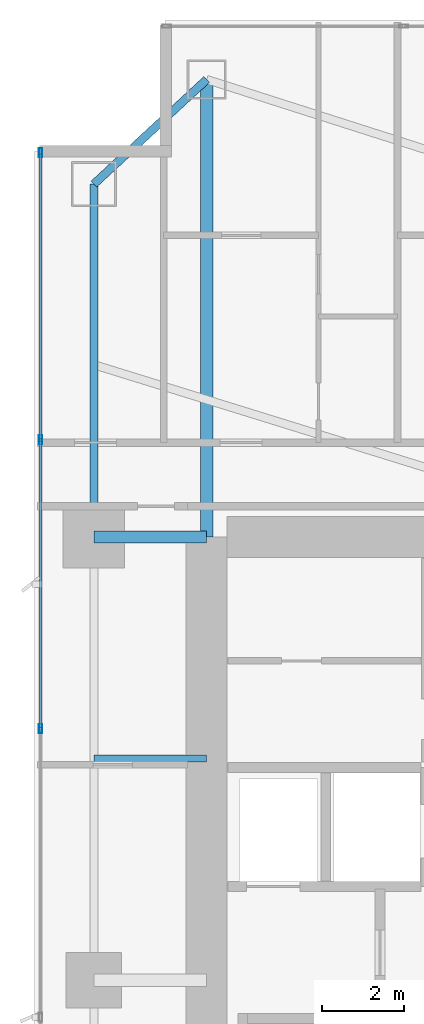
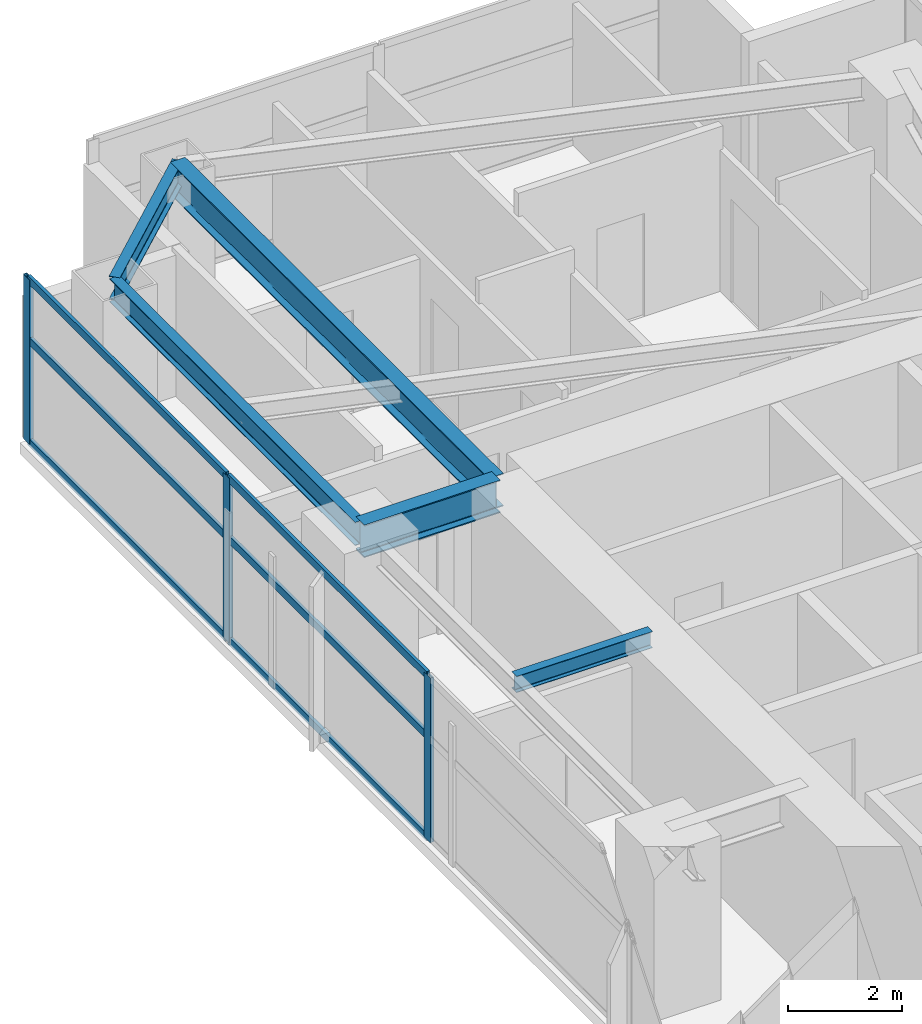
# One storey, part 15 of 28: 9 members, 5 beams, 1 element without a shape of its own.
"""IFC4 building model written with IfcOpenShell, lengths in metres."""

import ifcopenshell
import ifcopenshell.guid

model = None  # the IFC model being written
_history = None  # IfcOwnerHistory: only IFC2X3 demands one
_inside = {}  # id of a spatial element -> (the spatial element, [elements in it])
_under = {}  # id of a project, library or spatial element -> (it, [spatial elements below it])
_declared = {}  # id of a project -> (the project, [libraries it declares])
_typed = {}  # id of a type object -> (the type object, [elements of that type])
_made_of = {}  # id of a material, layer set ... -> (it, [elements and type objects made of it])


def new_model(schema):
    """Start an empty IFC model of exactly this schema.

    Asked for "IFC4X3", IfcOpenShell would pick the latest addendum, in which some entities
    have other attributes; the version numbers below select the first issue.
    IFC2X3 requires an IfcOwnerHistory on every rooted entity: one is made here for all.
    """
    global model, _history
    if schema == "IFC4X3":
        model = ifcopenshell.file(schema_version=(4, 3, 0, 0))
    else:
        model = ifcopenshell.file(schema=schema)
    _inside.clear()
    _under.clear()
    _declared.clear()
    _typed.clear()
    _made_of.clear()
    _history = None
    if model.schema == "IFC2X3":
        org = make("IfcOrganization", Name="unknown")
        user = make(
            "IfcPersonAndOrganization",
            ThePerson=make("IfcPerson", FamilyName="unknown"),
            TheOrganization=org,
        )
        app = make(
            "IfcApplication",
            ApplicationDeveloper=org,
            Version="unknown",
            ApplicationFullName="unknown",
            ApplicationIdentifier="unknown",
        )
        _history = make(
            "IfcOwnerHistory",
            OwningUser=user,
            OwningApplication=app,
            ChangeAction="ADDED",
            CreationDate=0,
        )
    return model


def make(cls, **values):
    """One entity of the class cls with the attributes given. An attribute that is None is left unset."""
    return model.create_entity(
        cls, **{name: value for name, value in values.items() if value is not None}
    )


def rooted(cls, **values):
    """An entity with a GlobalId (a new one), such as an element, a storey or a relation."""
    return make(cls, GlobalId=ifcopenshell.guid.new(), OwnerHistory=_history, **values)


def si_unit(unit_type, name, prefix=None):
    """IfcSIUnit, for example si_unit("LENGTHUNIT", "METRE", prefix="MILLI")."""
    return make("IfcSIUnit", UnitType=unit_type, Prefix=prefix, Name=name)


def assignment(units):
    """IfcUnitAssignment: the units of a project."""
    return None if units is None else make("IfcUnitAssignment", Units=units)


def point(xyz):
    """IfcCartesianPoint."""
    return None if xyz is None else make("IfcCartesianPoint", Coordinates=xyz)


def direction(xyz):
    """IfcDirection."""
    return None if xyz is None else make("IfcDirection", DirectionRatios=xyz)


def frame(location, z_axis=None, x_axis=None):
    """IfcAxis2Placement3D, a coordinate frame: its origin and axes. An axis left out is left unset."""
    return make(
        "IfcAxis2Placement3D",
        Location=point(location),
        Axis=direction(z_axis),
        RefDirection=direction(x_axis),
    )


def frame_2d(location, x_axis=None):
    """IfcAxis2Placement2D, a coordinate frame in the plane: its origin and x axis."""
    return make(
        "IfcAxis2Placement2D", Location=point(location), RefDirection=direction(x_axis)
    )


def origin():
    """The frame at (0, 0, 0) with its axes left unset."""
    return frame((0.0, 0.0, 0.0))


def origin_2d():
    """The frame at (0, 0) in the plane with its x axis left unset."""
    return frame_2d((0.0, 0.0))


def place(relative_to, where):
    """IfcLocalPlacement: puts the frame where relative to a parent placement (None: the world)."""
    return make(
        "IfcLocalPlacement", PlacementRelTo=relative_to, RelativePlacement=where
    )


def context(
    kind, dimensions, precision=None, world=None, true_north=None, identifier=None
):
    """IfcGeometricRepresentationContext, for example the 3D "Model" context."""
    return make(
        "IfcGeometricRepresentationContext",
        ContextIdentifier=identifier,
        ContextType=kind,
        CoordinateSpaceDimension=dimensions,
        Precision=precision,
        WorldCoordinateSystem=world,
        TrueNorth=true_north,
    )


def subcontext(parent, identifier, kind, view, scale=None):
    """IfcGeometricRepresentationSubContext, for example "Body" below "Model"."""
    return make(
        "IfcGeometricRepresentationSubContext",
        ContextIdentifier=identifier,
        ContextType=kind,
        ParentContext=parent,
        TargetScale=scale,
        TargetView=view,
    )


def project(units=None, contexts=None):
    """IfcProject with its units and contexts."""
    return rooted(
        "IfcProject",
        Name="project",
        RepresentationContexts=contexts,
        UnitsInContext=assignment(units),
    )


def spatial(cls, under=None, at=None, **own):
    """A site, building, storey or space (cls), placed at a placement, below another one or the project."""
    s = rooted(cls, ObjectPlacement=at, **own)
    if under is not None:
        _under.setdefault(under.id(), (under, []))[1].append(s)
    return s


def profile(cls, at=None, kind="AREA", **sizes):
    """A parametric profile (cls). Its sizes go by their IFC names, for example OverallWidth=200.0."""
    return make(cls, ProfileType=kind, Position=at, **sizes)


def hollow_rectangle(**sizes):
    """IfcRectangleHollowProfileDef."""
    return profile("IfcRectangleHollowProfileDef", **sizes)


def i_section(**sizes):
    """IfcIShapeProfileDef."""
    return profile("IfcIShapeProfileDef", **sizes)


def extrude(swept, where, along, depth):
    """IfcExtrudedAreaSolid: the profile swept, set in the frame where, extruded along a direction by depth."""
    return make(
        "IfcExtrudedAreaSolid",
        SweptArea=swept,
        Position=where,
        ExtrudedDirection=direction(along),
        Depth=depth,
    )


def shape(context_of_items, identifier, shape_type, items):
    """IfcShapeRepresentation: the items that make up one representation, for example the "Body"."""
    return make(
        "IfcShapeRepresentation",
        ContextOfItems=context_of_items,
        RepresentationIdentifier=identifier,
        RepresentationType=shape_type,
        Items=items,
    )


def material(Name=None, Category=None):
    """IfcMaterial."""
    return make("IfcMaterial", Name=Name, Category=Category)


def layer(
    of_material, thickness, ventilated=None, Name=None, Category=None, Priority=None
):
    """IfcMaterialLayer: one layer of a wall or slab, of a material (None: an air gap)."""
    return make(
        "IfcMaterialLayer",
        Material=of_material,
        LayerThickness=thickness,
        IsVentilated=ventilated,
        Name=Name,
        Category=Category,
        Priority=Priority,
    )


def layer_set(layers, Name=None):
    """IfcMaterialLayerSet."""
    return make("IfcMaterialLayerSet", MaterialLayers=layers, LayerSetName=Name)


def material_profile(
    of_material, cross_section, Name=None, Category=None, Priority=None
):
    """IfcMaterialProfile: a cross section and its material."""
    return make(
        "IfcMaterialProfile",
        Name=Name,
        Material=of_material,
        Profile=cross_section,
        Priority=Priority,
        Category=Category,
    )


def profile_set(profiles, Name=None, composite=None):
    """IfcMaterialProfileSet."""
    return make(
        "IfcMaterialProfileSet",
        Name=Name,
        MaterialProfiles=profiles,
        CompositeProfile=composite,
    )


def made_of(thing, what):
    """Note that an element or type object is made of a material, layer set ...; save() writes the relation."""
    if what is not None:
        _made_of.setdefault(what.id(), (what, []))[1].append(thing)
    return thing


def type_object(cls, material=None, **own):
    """A type object (cls), such as IfcWallType, which elements share."""
    return made_of(rooted(cls, **own), material)


def element(
    cls,
    number,
    at=None,
    inside=None,
    cuts=None,
    type_object=None,
    material=None,
    context=None,
    identifier="Body",
    shape_type=None,
    held_by="IfcProductDefinitionShape",
    body=None,
    shapes=None,
    **own,
):
    """One element of the class cls, such as IfcWall. Its Tag is "e" and its number.

    at: its placement. inside: the storey or other place that contains it. cuts: it is an
    opening in that element (IfcRelVoidsElement). A single representation is given by context,
    identifier, shape_type and body (its items); several are given by shapes. held_by: the class
    of the entity that holds the representations. save() writes the other relations.
    """
    e = rooted(cls, Tag="e%d" % number, ObjectPlacement=at, **own)
    if body is not None:
        shapes = [shape(context, identifier, shape_type, body)]
    if shapes is not None:
        e.Representation = make(held_by, Representations=shapes)
    if inside is not None:
        _inside.setdefault(inside.id(), (inside, []))[1].append(e)
    if cuts is not None:
        rooted(
            "IfcRelVoidsElement", RelatingBuildingElement=cuts, RelatedOpeningElement=e
        )
    if type_object is not None:
        _typed.setdefault(type_object.id(), (type_object, []))[1].append(e)
    return made_of(e, material)


def aggregate(whole, parts):
    """IfcRelAggregates: a whole, such as a stair, and the parts it consists of."""
    return rooted("IfcRelAggregates", RelatingObject=whole, RelatedObjects=parts)


def save(model, path):
    """Write the relations noted so far, then the file.

    IfcRelAggregates (storeys below a building ...), IfcRelContainedInSpatialStructure (elements
    in a storey), IfcRelDefinesByType, IfcRelAssociatesMaterial and IfcRelDeclares: one each for
    every whole, place, type object, material and project.
    """
    for whole, parts in _under.values():
        aggregate(whole, parts)
    for where, things in _inside.values():
        rooted(
            "IfcRelContainedInSpatialStructure",
            RelatedElements=things,
            RelatingStructure=where,
        )
    for kind, things in _typed.values():
        rooted("IfcRelDefinesByType", RelatedObjects=things, RelatingType=kind)
    for what, things in _made_of.values():
        rooted("IfcRelAssociatesMaterial", RelatedObjects=things, RelatingMaterial=what)
    for by, libraries in _declared.values():
        rooted("IfcRelDeclares", RelatingContext=by, RelatedDefinitions=libraries)
    model.write(path)


model = new_model("IFC4")

# Units and contexts
model_context = context("Model", 3, precision=1e-05, world=origin(), true_north=direction((0.0, 1.0)))
body_context = subcontext(model_context, "Body", "Model", "MODEL_VIEW")
ifc_project = project(units=[si_unit("LENGTHUNIT", "METRE"), si_unit("AREAUNIT", "SQUARE_METRE"), si_unit("VOLUMEUNIT", "CUBIC_METRE"), si_unit("PLANEANGLEUNIT", "RADIAN"), si_unit("MASSUNIT", "GRAM", prefix="KILO")], contexts=[model_context])

# Site, building, storey
site_placement = place(None, origin())
site = spatial("IfcSite", under=ifc_project, at=site_placement, CompositionType="ELEMENT")
building_placement = place(site_placement, origin())
building = spatial("IfcBuilding", under=site, at=building_placement, Name="Calvorn Quay Hotel", CompositionType="ELEMENT")
storey_placement = place(building_placement, frame((0.0, 0.0, 42.199951171875)))
storey = spatial("IfcBuildingStorey", under=building, at=storey_placement, Name="L09", CompositionType="ELEMENT", Elevation=42.199951171875)

# Beams
ifc_material_1 = material(Name="Steel Q390GJC", Category="steel")
ifc_material_profile_1 = material_profile(ifc_material_1, i_section(OverallWidth=0.300048828125, OverallDepth=0.699951171875, WebThickness=0.012939453125, FlangeThickness=0.02392578125, FilletRadius=0.02392578125, at=origin_2d()), Name="HN700x300x13x24")
ifc_profile_set_1 = profile_set([ifc_material_profile_1], Name="Steel Q390GJC")
beam_type_1 = type_object("IfcBeamType", Name="BM-GIRD-MAIN", PredefinedType="BEAM", material=ifc_profile_set_1)
beam_1_placement = place(storey_placement, frame((1.449951171875, 38.39990234375, 3.170166015625), z_axis=(1.0, 0.0, 0.0), x_axis=(0.0, 1.0, 0.0)))
element("IfcBeam", 1, at=beam_1_placement, inside=storey, type_object=beam_type_1, Name="Beam BG-L09-W3", PredefinedType="BEAM", context=body_context, shape_type="SweptSolid", body=[
    extrude(i_section(OverallWidth=0.300048828125, OverallDepth=0.699951171875, WebThickness=0.012939453125, FlangeThickness=0.02392578125, FilletRadius=0.02392578125, at=origin_2d()), origin(), (0.0, 0.0, 1.0), 2.75),
])
beam_2_placement = place(storey_placement, frame((4.199951171875, 49.550048828125, 3.170166015625), z_axis=(0.0, -1.0, 0.0), x_axis=(1.0, 0.0, 0.0)))
element("IfcBeam", 2, at=beam_2_placement, inside=storey, type_object=beam_type_1, Name="Beam BG-L09-W5", PredefinedType="BEAM", context=body_context, shape_type="SweptSolid", body=[
    extrude(i_section(OverallWidth=0.300048828125, OverallDepth=0.699951171875, WebThickness=0.012939453125, FlangeThickness=0.02392578125, FilletRadius=0.02392578125, at=origin_2d()), origin(), (0.0, 0.0, 1.0), 11.150146484375),
])
ifc_material_2 = material(Name="Steel Q355B", Category="steel")
ifc_material_profile_2 = material_profile(ifc_material_2, i_section(OverallWidth=0.175048828125, OverallDepth=0.35009765625, WebThickness=0.007080078125, FlangeThickness=0.010986328125, FilletRadius=0.013916015625, at=origin_2d()), Name="HN350x175x7x11")
ifc_profile_set_2 = profile_set([ifc_material_profile_2], Name="Steel Q355B")
beam_type_2 = type_object("IfcBeamType", Name="BM-JOIST-SEC", PredefinedType="JOIST", material=ifc_profile_set_2)
beam_3_placement = place(storey_placement, frame((1.449951171875, 33.0, 3.344970703125), z_axis=(1.0, 0.0, 0.0), x_axis=(0.0, 1.0, 0.0)))
element("IfcBeam", 3, at=beam_3_placement, inside=storey, type_object=beam_type_2, Name="Beam BJ-L09-W4", PredefinedType="JOIST", context=body_context, shape_type="SweptSolid", body=[
    extrude(i_section(OverallWidth=0.175048828125, OverallDepth=0.35009765625, WebThickness=0.007080078125, FlangeThickness=0.010986328125, FilletRadius=0.013916015625, at=origin_2d()), origin(), (0.0, 0.0, 1.0), 2.75),
])
ifc_material_3 = material(Name="Steel Q355B", Category="steel")
ifc_material_profile_3 = material_profile(ifc_material_3, i_section(OverallWidth=0.199951171875, OverallDepth=0.5, WebThickness=0.010009765625, FlangeThickness=0.01611328125, FilletRadius=0.01611328125, at=origin_2d()), Name="HN500x200x10x16")
ifc_profile_set_3 = profile_set([ifc_material_profile_3], Name="Steel Q355B")
beam_type_3 = type_object("IfcBeamType", Name="BM-SPANDREL-Z1", PredefinedType="SPANDREL", material=ifc_profile_set_3)
beam_4_placement = place(storey_placement, frame((1.449951171875, 38.39990234375, 3.27001953125), z_axis=(0.0, 1.0, 0.0), x_axis=(-1.0, 0.0, 0.0)))
element("IfcBeam", 4, at=beam_4_placement, inside=storey, type_object=beam_type_3, Name="Beam BSP-L09-W4", PredefinedType="SPANDREL", context=body_context, shape_type="SweptSolid", body=[
    extrude(i_section(OverallWidth=0.199951171875, OverallDepth=0.5, WebThickness=0.010009765625, FlangeThickness=0.01611328125, FilletRadius=0.01611328125, at=origin_2d()), origin(), (0.0, 0.0, 1.0), 8.60009765625),
])
beam_5_placement = place(storey_placement, frame((1.449951171875, 47.0, 3.27001953125), z_axis=(0.733261665538, 0.679946563969, 0.0), x_axis=(-0.679946563969, 0.733261665538, 0.0)))
element("IfcBeam", 5, at=beam_5_placement, inside=storey, type_object=beam_type_3, Name="Beam BSP-L09-W5", PredefinedType="SPANDREL", context=body_context, shape_type="SweptSolid", body=[
    extrude(i_section(OverallWidth=0.199951171875, OverallDepth=0.5, WebThickness=0.010009765625, FlangeThickness=0.01611328125, FilletRadius=0.01611328125, at=origin_2d()), origin(), (0.0, 0.0, 1.0), 3.75048828125),
])

# Curtain wall, members
ifc_material_4 = material(Name="Pale Anodised Aluminium and Low-E Glass", Category="aluminium")
ifc_layer = layer(ifc_material_4, 0.219970703125)
ifc_layer_set = layer_set([ifc_layer], Name="CW-SYS-Z1")
curtain_wall_type = type_object("IfcCurtainWallType", Name="CW-SYS-Z1", PredefinedType="NOTDEFINED", material=ifc_layer_set)
curtain_wall_placement = place(storey_placement, origin())
curtain_wall = element("IfcCurtainWall", 6, at=curtain_wall_placement, inside=storey, type_object=curtain_wall_type, Name="Tower West Curtain Wall (L09)", PredefinedType="NOTDEFINED")
ifc_material_5 = material(Name="Pale Anodised Aluminium 6063-T6", Category="aluminium")
ifc_material_profile_4 = material_profile(ifc_material_5, hollow_rectangle(XDim=0.074951171875, YDim=0.219970703125, WallThickness=0.00439453125, at=origin_2d()), Name="ALU-M220x75x4.5")
ifc_profile_set_4 = profile_set([ifc_material_profile_4], Name="Pale Anodised Aluminium 6063-T6")
member_type_1 = type_object("IfcMemberType", Name="CW-SYS-Z1-MUL", PredefinedType="MULLION", material=ifc_profile_set_4)
member_1_placement = place(storey_placement, frame((0.14990234375, 33.7333984375, 0.0), z_axis=(0.0, 0.0, 1.0), x_axis=(-1.0, 0.0, 0.0)))
member_1 = element("IfcMember", 7, at=member_1_placement, type_object=member_type_1, Name="CW-L09-W mullion 5", PredefinedType="MULLION", context=body_context, shape_type="SweptSolid", body=[
    extrude(hollow_rectangle(XDim=0.074951171875, YDim=0.219970703125, WallThickness=0.00439453125, at=origin_2d()), origin(), (0.0, 0.0, 1.0), 3.52001953125),
])
member_2_placement = place(storey_placement, frame((0.14990234375, 40.7666015625, 0.0), z_axis=(0.0, 0.0, 1.0), x_axis=(-1.0, 0.0, 0.0)))
member_2 = element("IfcMember", 8, at=member_2_placement, type_object=member_type_1, Name="CW-L09-W mullion 6", PredefinedType="MULLION", context=body_context, shape_type="SweptSolid", body=[
    extrude(hollow_rectangle(XDim=0.074951171875, YDim=0.219970703125, WallThickness=0.00439453125, at=origin_2d()), origin(), (0.0, 0.0, 1.0), 3.52001953125),
])
member_3_placement = place(storey_placement, frame((0.14990234375, 47.77001953125, 0.0), z_axis=(0.0, 0.0, 1.0), x_axis=(-1.0, 0.0, 0.0)))
member_3 = element("IfcMember", 9, at=member_3_placement, type_object=member_type_1, Name="CW-L09-W mullion 7", PredefinedType="MULLION", context=body_context, shape_type="SweptSolid", body=[
    extrude(hollow_rectangle(XDim=0.074951171875, YDim=0.219970703125, WallThickness=0.00439453125, at=origin_2d()), origin(), (0.0, 0.0, 1.0), 3.52001953125),
])
ifc_material_6 = material(Name="Pale Anodised Aluminium 6063-T6", Category="aluminium")
ifc_material_profile_5 = material_profile(ifc_material_6, hollow_rectangle(XDim=0.06494140625, YDim=0.1650390625, WallThickness=0.00341796875, at=origin_2d()), Name="ALU-T165x65x3.5")
ifc_profile_set_5 = profile_set([ifc_material_profile_5], Name="Pale Anodised Aluminium 6063-T6")
member_type_2 = type_object("IfcMemberType", Name="CW-SYS-Z1-TRN", PredefinedType="USERDEFINED", material=ifc_profile_set_5)
member_4_placement = place(storey_placement, frame((0.14990234375, 33.763427734375, 0.030029296875), z_axis=(0.0, 1.0, 0.0), x_axis=(-1.0, 0.0, 0.0)))
member_4 = element("IfcMember", 10, at=member_4_placement, type_object=member_type_2, Name="CW-L09-W transom 5.1", ObjectType="TRANSOM", PredefinedType="USERDEFINED", context=body_context, shape_type="SweptSolid", body=[
    extrude(hollow_rectangle(XDim=0.06494140625, YDim=0.1650390625, WallThickness=0.00341796875, at=origin_2d()), origin(), (0.0, 0.0, 1.0), 6.97314453125),
])
member_5_placement = place(storey_placement, frame((0.14990234375, 33.763427734375, 2.199951171875), z_axis=(0.0, 1.0, 0.0), x_axis=(-1.0, 0.0, 0.0)))
member_5 = element("IfcMember", 11, at=member_5_placement, type_object=member_type_2, Name="CW-L09-W transom 5.2", ObjectType="TRANSOM", PredefinedType="USERDEFINED", context=body_context, shape_type="SweptSolid", body=[
    extrude(hollow_rectangle(XDim=0.06494140625, YDim=0.1650390625, WallThickness=0.00341796875, at=origin_2d()), origin(), (0.0, 0.0, 1.0), 6.97314453125),
])
member_6_placement = place(storey_placement, frame((0.14990234375, 33.763427734375, 3.489990234375), z_axis=(0.0, 1.0, 0.0), x_axis=(-1.0, 0.0, 0.0)))
member_6 = element("IfcMember", 12, at=member_6_placement, type_object=member_type_2, Name="CW-L09-W transom 5.3", ObjectType="TRANSOM", PredefinedType="USERDEFINED", context=body_context, shape_type="SweptSolid", body=[
    extrude(hollow_rectangle(XDim=0.06494140625, YDim=0.1650390625, WallThickness=0.00341796875, at=origin_2d()), origin(), (0.0, 0.0, 1.0), 6.97314453125),
])
member_7_placement = place(storey_placement, frame((0.14990234375, 40.796630859375, 0.030029296875), z_axis=(0.0, 1.0, 0.0), x_axis=(-1.0, 0.0, 0.0)))
member_7 = element("IfcMember", 13, at=member_7_placement, type_object=member_type_2, Name="CW-L09-W transom 6.1", ObjectType="TRANSOM", PredefinedType="USERDEFINED", context=body_context, shape_type="SweptSolid", body=[
    extrude(hollow_rectangle(XDim=0.06494140625, YDim=0.1650390625, WallThickness=0.00341796875, at=origin_2d()), origin(), (0.0, 0.0, 1.0), 6.943359375),
])
member_8_placement = place(storey_placement, frame((0.14990234375, 40.796630859375, 2.199951171875), z_axis=(0.0, 1.0, 0.0), x_axis=(-1.0, 0.0, 0.0)))
member_8 = element("IfcMember", 14, at=member_8_placement, type_object=member_type_2, Name="CW-L09-W transom 6.2", ObjectType="TRANSOM", PredefinedType="USERDEFINED", context=body_context, shape_type="SweptSolid", body=[
    extrude(hollow_rectangle(XDim=0.06494140625, YDim=0.1650390625, WallThickness=0.00341796875, at=origin_2d()), origin(), (0.0, 0.0, 1.0), 6.943359375),
])
member_9_placement = place(storey_placement, frame((0.14990234375, 40.796630859375, 3.489990234375), z_axis=(0.0, 1.0, 0.0), x_axis=(-1.0, 0.0, 0.0)))
member_9 = element("IfcMember", 15, at=member_9_placement, type_object=member_type_2, Name="CW-L09-W transom 6.3", ObjectType="TRANSOM", PredefinedType="USERDEFINED", context=body_context, shape_type="SweptSolid", body=[
    extrude(hollow_rectangle(XDim=0.06494140625, YDim=0.1650390625, WallThickness=0.00341796875, at=origin_2d()), origin(), (0.0, 0.0, 1.0), 6.943359375),
])
aggregate(curtain_wall, [member_1, member_2, member_3, member_4, member_5, member_6, member_7, member_8, member_9])

save(model, "model.ifc")
